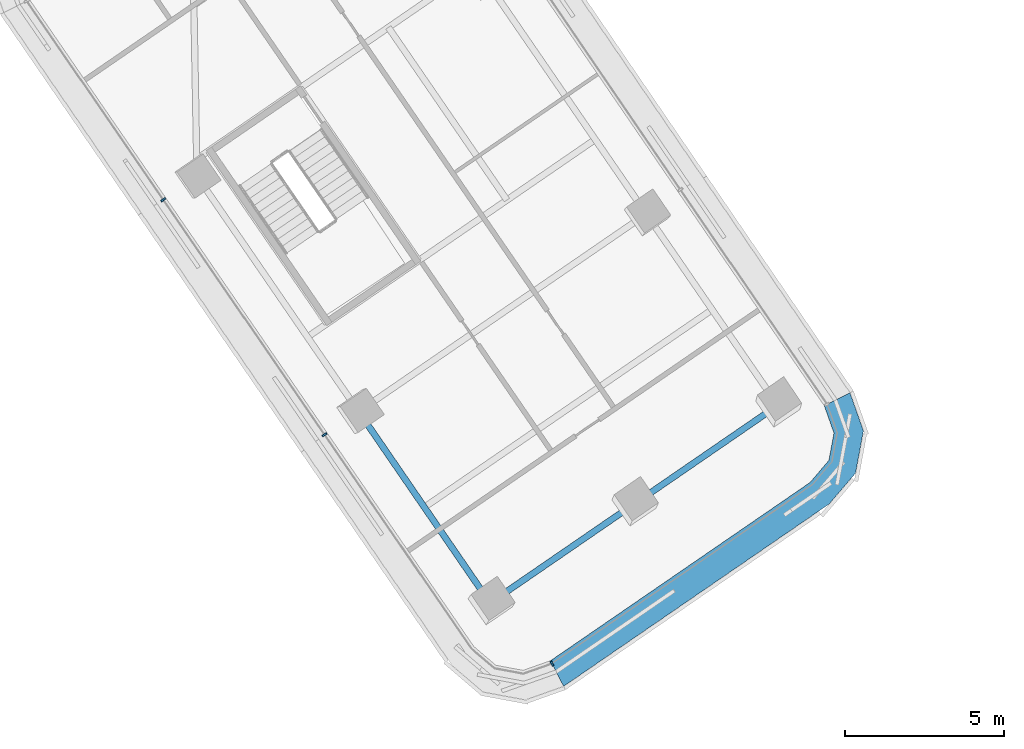
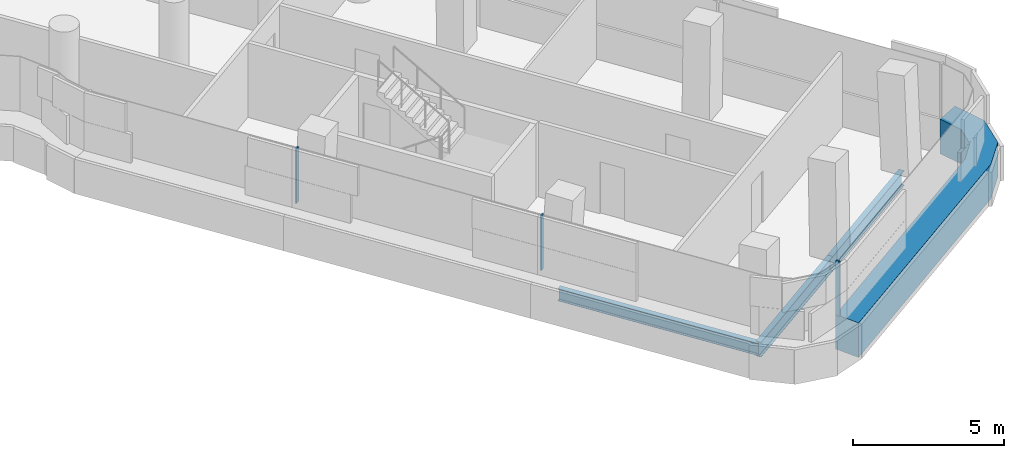
# One storey, part 3 of 33: 4 members, 3 beams, 2 elements without a shape of their own.
"""IFC4 building model written with IfcOpenShell, lengths in metres."""

from ifc_helpers import new_model, si_unit, direction, frame, origin, origin_2d, place, context, subcontext, project, spatial, polyline, rectangle, i_section, outline, extrude, material, layer, layer_set, material_profile, profile_set, type_object, element, aggregate, save


model = new_model("IFC4")

# Units and contexts
model_context = context("Model", 3, precision=1e-05, world=origin(), true_north=direction((0.0, 1.0)))
body_context = subcontext(model_context, "Body", "Model", "MODEL_VIEW")
ifc_project = project(units=[si_unit("LENGTHUNIT", "METRE"), si_unit("AREAUNIT", "SQUARE_METRE"), si_unit("VOLUMEUNIT", "CUBIC_METRE"), si_unit("PLANEANGLEUNIT", "RADIAN"), si_unit("MASSUNIT", "GRAM", prefix="KILO")], contexts=[model_context])

# Site, building, storey
site_placement = place(None, origin())
site = spatial("IfcSite", under=ifc_project, at=site_placement, CompositionType="ELEMENT")
building_placement = place(site_placement, origin())
building = spatial("IfcBuilding", under=site, at=building_placement, Name="Tamarind Cross Interchange Tower", CompositionType="ELEMENT")
storey_placement = place(building_placement, frame((0.0, 0.0, 159.25)))
storey = spatial("IfcBuildingStorey", under=building, at=storey_placement, Name="L39", CompositionType="ELEMENT", Elevation=159.25)

# Beams
ifc_material_1 = material(Name="Steel Q355B", Category="steel")
ifc_material_profile_1 = material_profile(ifc_material_1, i_section(OverallWidth=0.198974609375, OverallDepth=0.49609375, WebThickness=0.009033203125, FlangeThickness=0.013916015625, FilletRadius=0.012939453125, at=origin_2d()), Name="HN 496x199x9x14")
ifc_profile_set_1 = profile_set([ifc_material_profile_1], Name="Steel Q355B")
beam_type_1 = type_object("IfcBeamType", Name="Composite beam HN 496x199x9x14 Q355B", PredefinedType="BEAM", material=ifc_profile_set_1)
beam_1_placement = place(storey_placement, frame((9.4013671875, -45.40576171875, -0.387939453125), z_axis=(-0.566098228726, 0.824337792069, 0.0), x_axis=(-0.824337792069, -0.566098228726, 0.0)))
element("IfcBeam", 1, at=beam_1_placement, inside=storey, type_object=beam_type_1, Name="Beam S-edgeem5", PredefinedType="BEAM", context=body_context, shape_type="SweptSolid", body=[
    extrude(i_section(OverallWidth=0.198974609375, OverallDepth=0.49609375, WebThickness=0.009033203125, FlangeThickness=0.013916015625, FilletRadius=0.012939453125, at=origin_2d()), origin(), (0.0, 0.0, 1.0), 7.31640625),
])
ifc_material_profile_2 = material_profile(ifc_material_1, i_section(OverallWidth=0.199951171875, OverallDepth=0.60009765625, WebThickness=0.010986328125, FlangeThickness=0.01708984375, FilletRadius=0.012939453125, at=origin_2d()), Name="HN 600x200x11x17")
ifc_profile_set_2 = profile_set([ifc_material_profile_2], Name="Steel Q355B")
beam_type_2 = type_object("IfcBeamType", Name="Composite beam HN 600x200x11x17 Q355B", PredefinedType="BEAM", material=ifc_profile_set_2)
beam_2_placement = place(storey_placement, frame((9.4013671875, -45.40576171875, -0.43994140625), z_axis=(0.824343580186, 0.566089800125, 0.0), x_axis=(-0.566089800125, 0.824343580186, 0.0)))
element("IfcBeam", 2, at=beam_2_placement, inside=storey, type_object=beam_type_2, Name="Beam S-tip0", PredefinedType="BEAM", context=body_context, shape_type="SweptSolid", body=[
    extrude(i_section(OverallWidth=0.199951171875, OverallDepth=0.60009765625, WebThickness=0.010986328125, FlangeThickness=0.01708984375, FilletRadius=0.012939453125, at=origin_2d()), origin(), (0.0, 0.0, 1.0), 5.5),
])
beam_3_placement = place(storey_placement, frame((13.935302734375, -42.292236328125, -0.43994140625), z_axis=(0.824329354689, 0.566110514828, 0.0), x_axis=(-0.566110514828, 0.824329354689, 0.0)))
element("IfcBeam", 3, at=beam_3_placement, inside=storey, type_object=beam_type_2, Name="Beam S-tip1", PredefinedType="BEAM", context=body_context, shape_type="SweptSolid", body=[
    extrude(i_section(OverallWidth=0.199951171875, OverallDepth=0.60009765625, WebThickness=0.010986328125, FlangeThickness=0.01708984375, FilletRadius=0.012939453125, at=origin_2d()), origin(), (0.0, 0.0, 1.0), 5.499755859375),
])

# Curtain wall, member
ifc_material_2 = material(Name="Aluminium 6063-T6", Category="aluminium")
ifc_layer = layer(ifc_material_2, 0.159912109375)
ifc_layer_set = layer_set([ifc_layer], Name="Aluminium 6063-T6")
curtain_wall_type = type_object("IfcCurtainWallType", Name="Office curtain wall, 9.0 m bays", PredefinedType="NOTDEFINED", material=ifc_layer_set)
curtain_wall_1_placement = place(storey_placement, origin())
curtain_wall_1 = element("IfcCurtainWall", 4, at=curtain_wall_1_placement, inside=storey, type_object=curtain_wall_type, Name="CWS-L39-04", PredefinedType="NOTDEFINED")
ifc_material_3 = material(Name="Aluminium and insulated spandrel panel", Category="aluminium")
member_type_1 = type_object("IfcMemberType", Name="Floor-edge blade transom", PredefinedType="USERDEFINED", material=ifc_material_3)
member_1_placement = place(storey_placement, origin())
member_1 = element("IfcMember", 5, at=member_1_placement, type_object=member_type_1, Name="CWT-L39-04", ObjectType="TRANSOM", PredefinedType="USERDEFINED", context=body_context, shape_type="SweptSolid", body=[
    extrude(outline(polyline([(11.30517578125, -47.22509765625), (19.4833984375, -41.60888671875), (20.078125, -40.9130859375), (20.238037109375, -40.05322265625), (19.9326171875, -39.18994140625), (20.741943359375, -38.779052734375), (21.166748046875, -39.98046875), (20.919189453125, -41.314453125), (20.090576171875, -42.28369140625), (11.717041015625, -48.0341796875), (11.30517578125, -47.22509765625)])), origin(), (0.0, 0.0, 1.0), 1.39990234375),
])

# Curtain wall, members
curtain_wall_2_placement = place(storey_placement, origin())
curtain_wall_2 = element("IfcCurtainWall", 6, at=curtain_wall_2_placement, inside=storey, type_object=curtain_wall_type, Name="CWS-L39-03", PredefinedType="NOTDEFINED")
ifc_material_profile_3 = material_profile(ifc_material_2, rectangle(XDim=0.06005859375, YDim=0.159912109375, at=origin_2d()), Name="Mullion CW1")
ifc_profile_set_3 = profile_set([ifc_material_profile_3], Name="Aluminium 6063-T6")
member_type_2 = type_object("IfcMemberType", Name="Mullion CW1", PredefinedType="MULLION", material=ifc_profile_set_3)
member_2_placement = place(storey_placement, frame((-0.900634765625, -32.700439453125, 1.39990234375), z_axis=(0.0, 0.0, 1.0), x_axis=(0.566095508429, -0.824339660174, 0.0)))
member_2 = element("IfcMember", 7, at=member_2_placement, type_object=member_type_2, Name="CWM-L39-03-01", PredefinedType="MULLION", context=body_context, shape_type="SweptSolid", body=[
    extrude(rectangle(XDim=0.06005859375, YDim=0.159912109375, at=origin_2d()), origin(), (0.0, 0.0, 1.0), 2.210205078125),
])
member_3_placement = place(storey_placement, frame((4.18310546875, -40.103515625, 1.39990234375), z_axis=(0.0, 0.0, 1.0), x_axis=(0.566095508429, -0.824339660174, 0.0)))
member_3 = element("IfcMember", 8, at=member_3_placement, type_object=member_type_2, Name="CWM-L39-03-02", PredefinedType="MULLION", context=body_context, shape_type="SweptSolid", body=[
    extrude(rectangle(XDim=0.06005859375, YDim=0.159912109375, at=origin_2d()), origin(), (0.0, 0.0, 1.0), 2.210205078125),
])
aggregate(curtain_wall_2, [member_2, member_3])

# Member
member_4_placement = place(storey_placement, frame((11.350830078125, -47.31494140625, 1.39990234375), z_axis=(0.0, 0.0, 1.0), x_axis=(0.891177611255, 0.45365456594, 0.0)))
member_4 = element("IfcMember", 9, at=member_4_placement, type_object=member_type_2, Name="CWM-L39-04-00", PredefinedType="MULLION", context=body_context, shape_type="SweptSolid", body=[
    extrude(rectangle(XDim=0.06005859375, YDim=0.159912109375, at=origin_2d()), origin(), (0.0, 0.0, 1.0), 2.210205078125),
])

aggregate(curtain_wall_1, [member_4, member_1])

save(model, "model.ifc")
